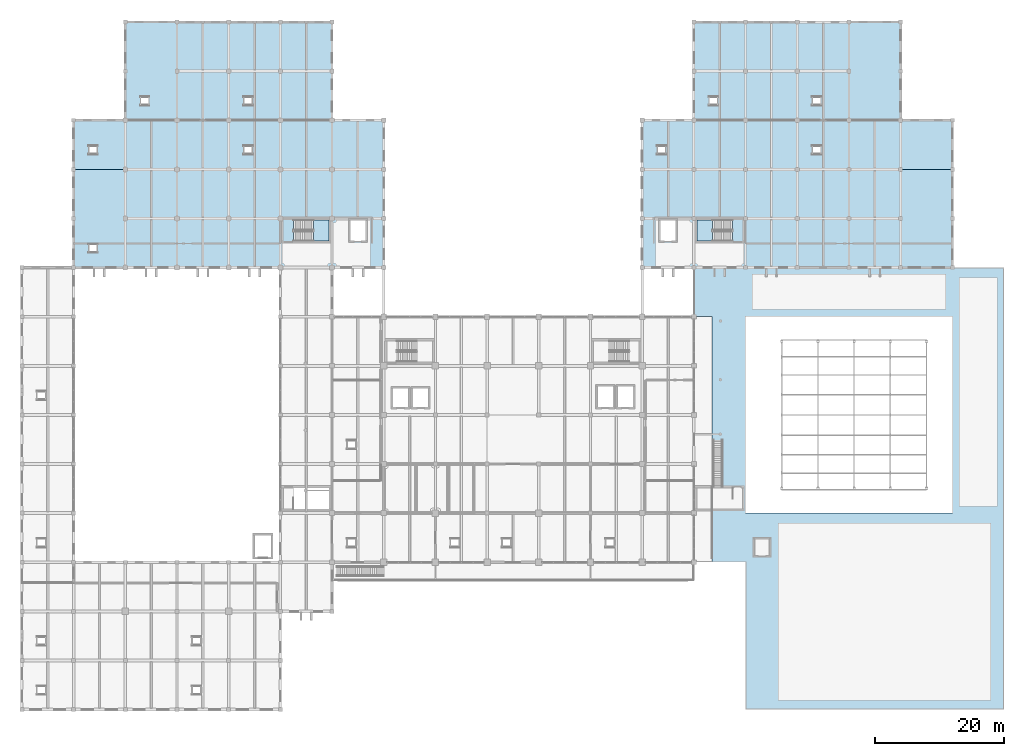
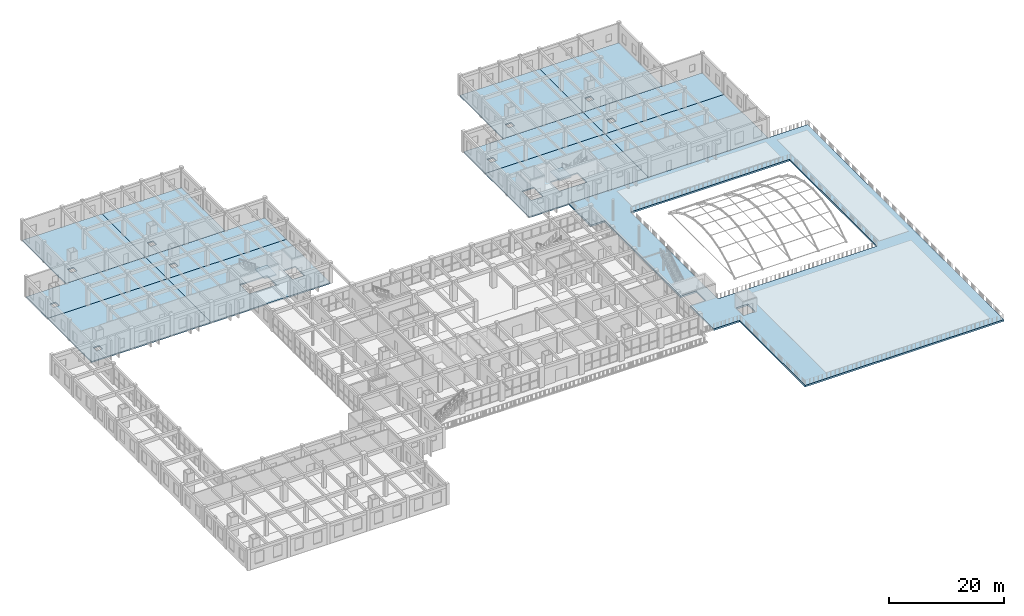
# One storey, part 46 of 79: 15 slabs, 2 elements without a shape of their own.
"""IFC4 building model written with IfcOpenShell, lengths in metres."""

import ifcopenshell
import ifcopenshell.guid

model = None  # the IFC model being written
_history = None  # IfcOwnerHistory: only IFC2X3 demands one
_inside = {}  # id of a spatial element -> (the spatial element, [elements in it])
_under = {}  # id of a project, library or spatial element -> (it, [spatial elements below it])
_declared = {}  # id of a project -> (the project, [libraries it declares])
_typed = {}  # id of a type object -> (the type object, [elements of that type])
_made_of = {}  # id of a material, layer set ... -> (it, [elements and type objects made of it])


def new_model(schema):
    """Start an empty IFC model of exactly this schema.

    Asked for "IFC4X3", IfcOpenShell would pick the latest addendum, in which some entities
    have other attributes; the version numbers below select the first issue.
    IFC2X3 requires an IfcOwnerHistory on every rooted entity: one is made here for all.
    """
    global model, _history
    if schema == "IFC4X3":
        model = ifcopenshell.file(schema_version=(4, 3, 0, 0))
    else:
        model = ifcopenshell.file(schema=schema)
    _inside.clear()
    _under.clear()
    _declared.clear()
    _typed.clear()
    _made_of.clear()
    _history = None
    if model.schema == "IFC2X3":
        org = make("IfcOrganization", Name="unknown")
        user = make(
            "IfcPersonAndOrganization",
            ThePerson=make("IfcPerson", FamilyName="unknown"),
            TheOrganization=org,
        )
        app = make(
            "IfcApplication",
            ApplicationDeveloper=org,
            Version="unknown",
            ApplicationFullName="unknown",
            ApplicationIdentifier="unknown",
        )
        _history = make(
            "IfcOwnerHistory",
            OwningUser=user,
            OwningApplication=app,
            ChangeAction="ADDED",
            CreationDate=0,
        )
    return model


def make(cls, **values):
    """One entity of the class cls with the attributes given. An attribute that is None is left unset."""
    return model.create_entity(
        cls, **{name: value for name, value in values.items() if value is not None}
    )


def rooted(cls, **values):
    """An entity with a GlobalId (a new one), such as an element, a storey or a relation."""
    return make(cls, GlobalId=ifcopenshell.guid.new(), OwnerHistory=_history, **values)


def si_unit(unit_type, name, prefix=None):
    """IfcSIUnit, for example si_unit("LENGTHUNIT", "METRE", prefix="MILLI")."""
    return make("IfcSIUnit", UnitType=unit_type, Prefix=prefix, Name=name)


def assignment(units):
    """IfcUnitAssignment: the units of a project."""
    return None if units is None else make("IfcUnitAssignment", Units=units)


def point(xyz):
    """IfcCartesianPoint."""
    return None if xyz is None else make("IfcCartesianPoint", Coordinates=xyz)


def direction(xyz):
    """IfcDirection."""
    return None if xyz is None else make("IfcDirection", DirectionRatios=xyz)


def frame(location, z_axis=None, x_axis=None):
    """IfcAxis2Placement3D, a coordinate frame: its origin and axes. An axis left out is left unset."""
    return make(
        "IfcAxis2Placement3D",
        Location=point(location),
        Axis=direction(z_axis),
        RefDirection=direction(x_axis),
    )


def origin():
    """The frame at (0, 0, 0) with its axes left unset."""
    return frame((0.0, 0.0, 0.0))


def place(relative_to, where):
    """IfcLocalPlacement: puts the frame where relative to a parent placement (None: the world)."""
    return make(
        "IfcLocalPlacement", PlacementRelTo=relative_to, RelativePlacement=where
    )


def context(
    kind, dimensions, precision=None, world=None, true_north=None, identifier=None
):
    """IfcGeometricRepresentationContext, for example the 3D "Model" context."""
    return make(
        "IfcGeometricRepresentationContext",
        ContextIdentifier=identifier,
        ContextType=kind,
        CoordinateSpaceDimension=dimensions,
        Precision=precision,
        WorldCoordinateSystem=world,
        TrueNorth=true_north,
    )


def subcontext(parent, identifier, kind, view, scale=None):
    """IfcGeometricRepresentationSubContext, for example "Body" below "Model"."""
    return make(
        "IfcGeometricRepresentationSubContext",
        ContextIdentifier=identifier,
        ContextType=kind,
        ParentContext=parent,
        TargetScale=scale,
        TargetView=view,
    )


def project(units=None, contexts=None):
    """IfcProject with its units and contexts."""
    return rooted(
        "IfcProject",
        Name="project",
        RepresentationContexts=contexts,
        UnitsInContext=assignment(units),
    )


def spatial(cls, under=None, at=None, **own):
    """A site, building, storey or space (cls), placed at a placement, below another one or the project."""
    s = rooted(cls, ObjectPlacement=at, **own)
    if under is not None:
        _under.setdefault(under.id(), (under, []))[1].append(s)
    return s


def polyline(points):
    """IfcPolyline through the points."""
    return make("IfcPolyline", Points=[point(p) for p in points])


def outline(outer, holes=None, kind="AREA"):
    """IfcArbitraryClosedProfileDef: a profile drawn as a closed curve; with holes, ...WithVoids."""
    if holes is None:
        return make("IfcArbitraryClosedProfileDef", ProfileType=kind, OuterCurve=outer)
    return make(
        "IfcArbitraryProfileDefWithVoids",
        ProfileType=kind,
        OuterCurve=outer,
        InnerCurves=holes,
    )


def extrude(swept, where, along, depth):
    """IfcExtrudedAreaSolid: the profile swept, set in the frame where, extruded along a direction by depth."""
    return make(
        "IfcExtrudedAreaSolid",
        SweptArea=swept,
        Position=where,
        ExtrudedDirection=direction(along),
        Depth=depth,
    )


def shape(context_of_items, identifier, shape_type, items):
    """IfcShapeRepresentation: the items that make up one representation, for example the "Body"."""
    return make(
        "IfcShapeRepresentation",
        ContextOfItems=context_of_items,
        RepresentationIdentifier=identifier,
        RepresentationType=shape_type,
        Items=items,
    )


def material(Name=None, Category=None):
    """IfcMaterial."""
    return make("IfcMaterial", Name=Name, Category=Category)


def layer(
    of_material, thickness, ventilated=None, Name=None, Category=None, Priority=None
):
    """IfcMaterialLayer: one layer of a wall or slab, of a material (None: an air gap)."""
    return make(
        "IfcMaterialLayer",
        Material=of_material,
        LayerThickness=thickness,
        IsVentilated=ventilated,
        Name=Name,
        Category=Category,
        Priority=Priority,
    )


def layer_set(layers, Name=None):
    """IfcMaterialLayerSet."""
    return make("IfcMaterialLayerSet", MaterialLayers=layers, LayerSetName=Name)


def made_of(thing, what):
    """Note that an element or type object is made of a material, layer set ...; save() writes the relation."""
    if what is not None:
        _made_of.setdefault(what.id(), (what, []))[1].append(thing)
    return thing


def type_object(cls, material=None, **own):
    """A type object (cls), such as IfcWallType, which elements share."""
    return made_of(rooted(cls, **own), material)


def element(
    cls,
    number,
    at=None,
    inside=None,
    cuts=None,
    type_object=None,
    material=None,
    context=None,
    identifier="Body",
    shape_type=None,
    held_by="IfcProductDefinitionShape",
    body=None,
    shapes=None,
    **own,
):
    """One element of the class cls, such as IfcWall. Its Tag is "e" and its number.

    at: its placement. inside: the storey or other place that contains it. cuts: it is an
    opening in that element (IfcRelVoidsElement). A single representation is given by context,
    identifier, shape_type and body (its items); several are given by shapes. held_by: the class
    of the entity that holds the representations. save() writes the other relations.
    """
    e = rooted(cls, Tag="e%d" % number, ObjectPlacement=at, **own)
    if body is not None:
        shapes = [shape(context, identifier, shape_type, body)]
    if shapes is not None:
        e.Representation = make(held_by, Representations=shapes)
    if inside is not None:
        _inside.setdefault(inside.id(), (inside, []))[1].append(e)
    if cuts is not None:
        rooted(
            "IfcRelVoidsElement", RelatingBuildingElement=cuts, RelatedOpeningElement=e
        )
    if type_object is not None:
        _typed.setdefault(type_object.id(), (type_object, []))[1].append(e)
    return made_of(e, material)


def aggregate(whole, parts):
    """IfcRelAggregates: a whole, such as a stair, and the parts it consists of."""
    return rooted("IfcRelAggregates", RelatingObject=whole, RelatedObjects=parts)


def save(model, path):
    """Write the relations noted so far, then the file.

    IfcRelAggregates (storeys below a building ...), IfcRelContainedInSpatialStructure (elements
    in a storey), IfcRelDefinesByType, IfcRelAssociatesMaterial and IfcRelDeclares: one each for
    every whole, place, type object, material and project.
    """
    for whole, parts in _under.values():
        aggregate(whole, parts)
    for where, things in _inside.values():
        rooted(
            "IfcRelContainedInSpatialStructure",
            RelatedElements=things,
            RelatingStructure=where,
        )
    for kind, things in _typed.values():
        rooted("IfcRelDefinesByType", RelatedObjects=things, RelatingType=kind)
    for what, things in _made_of.values():
        rooted("IfcRelAssociatesMaterial", RelatedObjects=things, RelatingMaterial=what)
    for by, libraries in _declared.values():
        rooted("IfcRelDeclares", RelatingContext=by, RelatedDefinitions=libraries)
    model.write(path)


model = new_model("IFC4")

# Units and contexts
model_context = context("Model", 3, precision=1e-05, world=origin(), true_north=direction((0.0, 1.0)))
body_context = subcontext(model_context, "Body", "Model", "MODEL_VIEW")
ifc_project = project(units=[si_unit("LENGTHUNIT", "METRE"), si_unit("AREAUNIT", "SQUARE_METRE"), si_unit("VOLUMEUNIT", "CUBIC_METRE"), si_unit("PLANEANGLEUNIT", "RADIAN"), si_unit("MASSUNIT", "GRAM", prefix="KILO")], contexts=[model_context])

# Site, building, storey
site_placement = place(None, origin())
site = spatial("IfcSite", under=ifc_project, at=site_placement, CompositionType="ELEMENT")
building_placement = place(site_placement, origin())
building = spatial("IfcBuilding", under=site, at=building_placement, Name="Zantavel Square City Hall", CompositionType="ELEMENT")
storey_placement = place(building_placement, frame((0.0, 0.0, 10.199951171875)))
storey = spatial("IfcBuildingStorey", under=building, at=storey_placement, Name="L03", CompositionType="ELEMENT", Elevation=10.199951171875)

# Stair, slab
ifc_material_1 = material(Name="Concrete C35/45", Category="concrete")
stair_type = type_object("IfcStairType", Name="Enclosed Core Dogleg Stair L03 H4500", PredefinedType="HALF_TURN_STAIR", material=ifc_material_1)
stair_1_placement = place(storey_placement, origin())
stair_1 = element("IfcStair", 1, at=stair_1_placement, inside=storey, type_object=stair_type, Name="L03 Exit Stair 1 North-West Core", PredefinedType="HALF_TURN_STAIR")
ifc_layer_1 = layer(ifc_material_1, 0.2099609375, Name="Concrete C35/45")
ifc_layer_set_1 = layer_set([ifc_layer_1], Name="Concrete C35/45")
slab_type_1 = type_object("IfcSlabType", Name="Core Stair Half-Landing Slab C35/45", PredefinedType="LANDING", material=ifc_layer_set_1)
slab_1_placement = place(storey_placement, frame((0.0, 0.0, 2.050048828125)))
slab_1 = element("IfcSlab", 2, at=slab_1_placement, type_object=slab_type_1, Name="ST1 landing 1", PredefinedType="LANDING", context=body_context, shape_type="SweptSolid", body=[
    extrude(outline(polyline([(53.110107421875, 80.10009765625), (55.530029296875, 80.10009765625), (55.530029296875, 83.3701171875), (53.110107421875, 83.3701171875), (53.110107421875, 80.10009765625)])), origin(), (0.0, 0.0, 1.0), 0.199951171875),
])
aggregate(stair_1, [slab_1])

stair_2_placement = place(storey_placement, origin())
stair_2 = element("IfcStair", 3, at=stair_2_placement, inside=storey, type_object=stair_type, Name="L03 Exit Stair 2 North-East Core", PredefinedType="HALF_TURN_STAIR")
slab_2_placement = place(storey_placement, frame((0.0, 0.0, 2.050048828125)))
slab_2 = element("IfcSlab", 4, at=slab_2_placement, type_object=slab_type_1, Name="ST2 landing 1", PredefinedType="LANDING", context=body_context, shape_type="SweptSolid", body=[
    extrude(outline(polyline([(114.889892578125, 83.3701171875), (112.469970703125, 83.3701171875), (112.469970703125, 80.10009765625), (114.889892578125, 80.10009765625), (114.889892578125, 83.3701171875)])), origin(), (0.0, 0.0, 1.0), 0.199951171875),
])
aggregate(stair_2, [slab_2])

# Slabs
ifc_layer_2 = layer(ifc_material_1, 0.260009765625, Name="Concrete C35/45")
ifc_layer_set_2 = layer_set([ifc_layer_2], Name="Concrete C35/45")
slab_type_2 = type_object("IfcSlabType", Name="Council & Executive Slab 260mm C35/45", PredefinedType="FLOOR", material=ifc_layer_set_2)
slab_3_placement = place(storey_placement, frame((0.0, 0.0, -0.260009765625)))
element("IfcSlab", 5, at=slab_3_placement, inside=storey, type_object=slab_type_2, Name="L03 Floor Slab SLB-L03-V4M-01", PredefinedType="FLOOR", context=body_context, shape_type="SweptSolid", body=[
    extrude(outline(polyline([(128.0, 91.199951171875), (128.0, 76.0), (104.0, 76.0), (104.0, 91.199951171875), (128.0, 91.199951171875)]), holes=[polyline([(112.469970703125, 83.3701171875), (112.469970703125, 80.10009765625), (117.949951171875, 80.10009765625), (117.949951171875, 83.3701171875), (112.469970703125, 83.3701171875)]), polyline([(109.199951171875, 83.35009765625), (106.800048828125, 83.35009765625), (106.800048828125, 80.14990234375), (109.199951171875, 80.14990234375), (109.199951171875, 83.35009765625)])]), origin(), (0.0, 0.0, 1.0), 0.260009765625),
])
slab_4_placement = place(storey_placement, frame((0.0, 0.0, -0.260009765625)))
element("IfcSlab", 6, at=slab_4_placement, inside=storey, type_object=slab_type_2, Name="L03 Floor Slab SLB-L03-V4M-02", PredefinedType="FLOOR", context=body_context, shape_type="SweptSolid", body=[
    extrude(outline(polyline([(152.0, 91.199951171875), (152.0, 76.0), (128.0, 76.0), (128.0, 91.199951171875), (152.0, 91.199951171875)])), origin(), (0.0, 0.0, 1.0), 0.260009765625),
])
slab_5_placement = place(storey_placement, frame((0.0, 0.0, -0.260009765625)))
element("IfcSlab", 7, at=slab_5_placement, inside=storey, type_object=slab_type_2, Name="L03 Floor Slab SLB-L03-V4M-03", PredefinedType="FLOOR", context=body_context, shape_type="SweptSolid", body=[
    extrude(outline(polyline([(128.0, 98.800048828125), (128.0, 91.199951171875), (104.0, 91.199951171875), (104.0, 98.800048828125), (128.0, 98.800048828125)]), holes=[polyline([(107.60009765625, 94.800048828125), (106.39990234375, 94.800048828125), (106.39990234375, 93.60009765625), (107.60009765625, 93.60009765625), (107.60009765625, 94.800048828125)])]), origin(), (0.0, 0.0, 1.0), 0.260009765625),
])
slab_6_placement = place(storey_placement, frame((0.0, 0.0, -0.260009765625)))
element("IfcSlab", 8, at=slab_6_placement, inside=storey, type_object=slab_type_2, Name="L03 Floor Slab SLB-L03-V4M-04", PredefinedType="FLOOR", context=body_context, shape_type="SweptSolid", body=[
    extrude(outline(polyline([(152.0, 91.199951171875), (128.0, 91.199951171875), (128.0, 98.800048828125), (152.0, 98.800048828125), (152.0, 91.199951171875)]), holes=[polyline([(131.60009765625, 94.800048828125), (130.39990234375, 94.800048828125), (130.39990234375, 93.60009765625), (131.60009765625, 93.60009765625), (131.60009765625, 94.800048828125)])]), origin(), (0.0, 0.0, 1.0), 0.260009765625),
])
slab_7_placement = place(storey_placement, frame((0.0, 0.0, -0.260009765625)))
element("IfcSlab", 9, at=slab_7_placement, inside=storey, type_object=slab_type_2, Name="L03 Floor Slab SLB-L03-V4N-01", PredefinedType="FLOOR", context=body_context, shape_type="SweptSolid", body=[
    extrude(outline(polyline([(128.0, 114.0), (128.0, 98.800048828125), (112.0, 98.800048828125), (112.0, 114.0), (128.0, 114.0)]), holes=[polyline([(115.60009765625, 102.39990234375), (114.39990234375, 102.39990234375), (114.39990234375, 101.199951171875), (115.60009765625, 101.199951171875), (115.60009765625, 102.39990234375)])]), origin(), (0.0, 0.0, 1.0), 0.260009765625),
])
slab_8_placement = place(storey_placement, frame((0.0, 0.0, -0.260009765625)))
element("IfcSlab", 10, at=slab_8_placement, inside=storey, type_object=slab_type_2, Name="L03 Floor Slab SLB-L03-V4N-02", PredefinedType="FLOOR", context=body_context, shape_type="SweptSolid", body=[
    extrude(outline(polyline([(144.0, 98.800048828125), (128.0, 98.800048828125), (128.0, 114.0), (144.0, 114.0), (144.0, 98.800048828125)]), holes=[polyline([(131.60009765625, 102.39990234375), (130.39990234375, 102.39990234375), (130.39990234375, 101.199951171875), (131.60009765625, 101.199951171875), (131.60009765625, 102.39990234375)])]), origin(), (0.0, 0.0, 1.0), 0.260009765625),
])
slab_9_placement = place(storey_placement, frame((0.0, 0.0, -0.260009765625)))
element("IfcSlab", 11, at=slab_9_placement, inside=storey, type_object=slab_type_2, Name="L03 Floor Slab SLB-L03-V5M-01", PredefinedType="FLOOR", context=body_context, shape_type="SweptSolid", body=[
    extrude(outline(polyline([(40.0, 91.199951171875), (40.0, 76.0), (16.0, 76.0), (16.0, 91.199951171875), (40.0, 91.199951171875)]), holes=[polyline([(19.60009765625, 79.60009765625), (18.39990234375, 79.60009765625), (18.39990234375, 78.39990234375), (19.60009765625, 78.39990234375), (19.60009765625, 79.60009765625)])]), origin(), (0.0, 0.0, 1.0), 0.260009765625),
])
slab_10_placement = place(storey_placement, frame((0.0, 0.0, -0.260009765625)))
element("IfcSlab", 12, at=slab_10_placement, inside=storey, type_object=slab_type_2, Name="L03 Floor Slab SLB-L03-V5M-02", PredefinedType="FLOOR", context=body_context, shape_type="SweptSolid", body=[
    extrude(outline(polyline([(56.0, 76.0), (48.0, 76.0), (40.0, 76.0), (40.0, 91.199951171875), (64.0, 91.199951171875), (64.0, 76.0), (56.0, 76.0)]), holes=[polyline([(50.050048828125, 83.3701171875), (50.050048828125, 80.10009765625), (55.530029296875, 80.10009765625), (55.530029296875, 83.3701171875), (50.050048828125, 83.3701171875)]), polyline([(61.199951171875, 83.35009765625), (58.800048828125, 83.35009765625), (58.800048828125, 80.14990234375), (61.199951171875, 80.14990234375), (61.199951171875, 83.35009765625)])]), origin(), (0.0, 0.0, 1.0), 0.260009765625),
])
slab_11_placement = place(storey_placement, frame((0.0, 0.0, -0.260009765625)))
element("IfcSlab", 13, at=slab_11_placement, inside=storey, type_object=slab_type_2, Name="L03 Floor Slab SLB-L03-V5M-03", PredefinedType="FLOOR", context=body_context, shape_type="SweptSolid", body=[
    extrude(outline(polyline([(40.0, 98.800048828125), (40.0, 91.199951171875), (16.0, 91.199951171875), (16.0, 98.800048828125), (40.0, 98.800048828125)]), holes=[polyline([(19.60009765625, 94.800048828125), (18.39990234375, 94.800048828125), (18.39990234375, 93.60009765625), (19.60009765625, 93.60009765625), (19.60009765625, 94.800048828125)])]), origin(), (0.0, 0.0, 1.0), 0.260009765625),
])
slab_12_placement = place(storey_placement, frame((0.0, 0.0, -0.260009765625)))
element("IfcSlab", 14, at=slab_12_placement, inside=storey, type_object=slab_type_2, Name="L03 Floor Slab SLB-L03-V5M-04", PredefinedType="FLOOR", context=body_context, shape_type="SweptSolid", body=[
    extrude(outline(polyline([(64.0, 91.199951171875), (40.0, 91.199951171875), (40.0, 98.800048828125), (64.0, 98.800048828125), (64.0, 91.199951171875)]), holes=[polyline([(43.60009765625, 94.800048828125), (42.39990234375, 94.800048828125), (42.39990234375, 93.60009765625), (43.60009765625, 93.60009765625), (43.60009765625, 94.800048828125)])]), origin(), (0.0, 0.0, 1.0), 0.260009765625),
])
slab_13_placement = place(storey_placement, frame((0.0, 0.0, -0.260009765625)))
element("IfcSlab", 15, at=slab_13_placement, inside=storey, type_object=slab_type_2, Name="L03 Floor Slab SLB-L03-V5N-01", PredefinedType="FLOOR", context=body_context, shape_type="SweptSolid", body=[
    extrude(outline(polyline([(40.0, 114.0), (40.0, 98.800048828125), (24.0, 98.800048828125), (24.0, 114.0), (40.0, 114.0)]), holes=[polyline([(27.60009765625, 102.39990234375), (26.39990234375, 102.39990234375), (26.39990234375, 101.199951171875), (27.60009765625, 101.199951171875), (27.60009765625, 102.39990234375)])]), origin(), (0.0, 0.0, 1.0), 0.260009765625),
])
slab_14_placement = place(storey_placement, frame((0.0, 0.0, -0.260009765625)))
element("IfcSlab", 16, at=slab_14_placement, inside=storey, type_object=slab_type_2, Name="L03 Floor Slab SLB-L03-V5N-02", PredefinedType="FLOOR", context=body_context, shape_type="SweptSolid", body=[
    extrude(outline(polyline([(56.0, 98.800048828125), (40.0, 98.800048828125), (40.0, 114.0), (56.0, 114.0), (56.0, 98.800048828125)]), holes=[polyline([(43.60009765625, 102.39990234375), (42.39990234375, 102.39990234375), (42.39990234375, 101.199951171875), (43.60009765625, 101.199951171875), (43.60009765625, 102.39990234375)])]), origin(), (0.0, 0.0, 1.0), 0.260009765625),
])
ifc_material_2 = material(Name="Concrete C40/50", Category="concrete")
ifc_layer_3 = layer(ifc_material_2, 0.35009765625, Name="Concrete C40/50")
ifc_layer_set_3 = layer_set([ifc_layer_3], Name="Concrete C40/50")
slab_type_3 = type_object("IfcSlabType", Name="Intensive Planted Roof Terrace Slab 350mm C40/50", PredefinedType="FLOOR", material=ifc_layer_set_3)
slab_15_placement = place(storey_placement, frame((0.0, 0.0, -0.349853515625)))
element("IfcSlab", 17, at=slab_15_placement, inside=storey, type_object=slab_type_3, Name="L03 Outdoor Terrace Slab SLB-L03-GARDEN-EAST", PredefinedType="FLOOR", context=body_context, shape_type="SweptSolid", body=[
    extrude(outline(polyline([(114.800048828125, 38.64990234375), (117.949951171875, 38.64990234375), (117.949951171875, 41.919921875), (114.800048828125, 41.919921875), (114.800048828125, 68.39990234375), (112.0, 68.39990234375), (112.0, 76.0), (120.0, 76.0), (128.0, 76.0), (152.0, 76.0), (160.0, 76.0), (160.0, 38.0), (160.0, 7.60009765625), (120.0, 7.60009765625), (120.0, 30.39990234375), (114.800048828125, 30.39990234375), (114.800048828125, 38.64990234375)]), holes=[polyline([(120.0, 38.0), (152.0, 38.0), (152.0, 68.39990234375), (120.0, 68.39990234375), (120.0, 38.0)]), polyline([(121.39990234375, 34.0), (121.39990234375, 31.39990234375), (123.699951171875, 31.39990234375), (123.699951171875, 34.0), (121.39990234375, 34.0)])]), origin(), (0.0, 0.0, 1.0), 0.349853515625),
])

save(model, "model.ifc")
